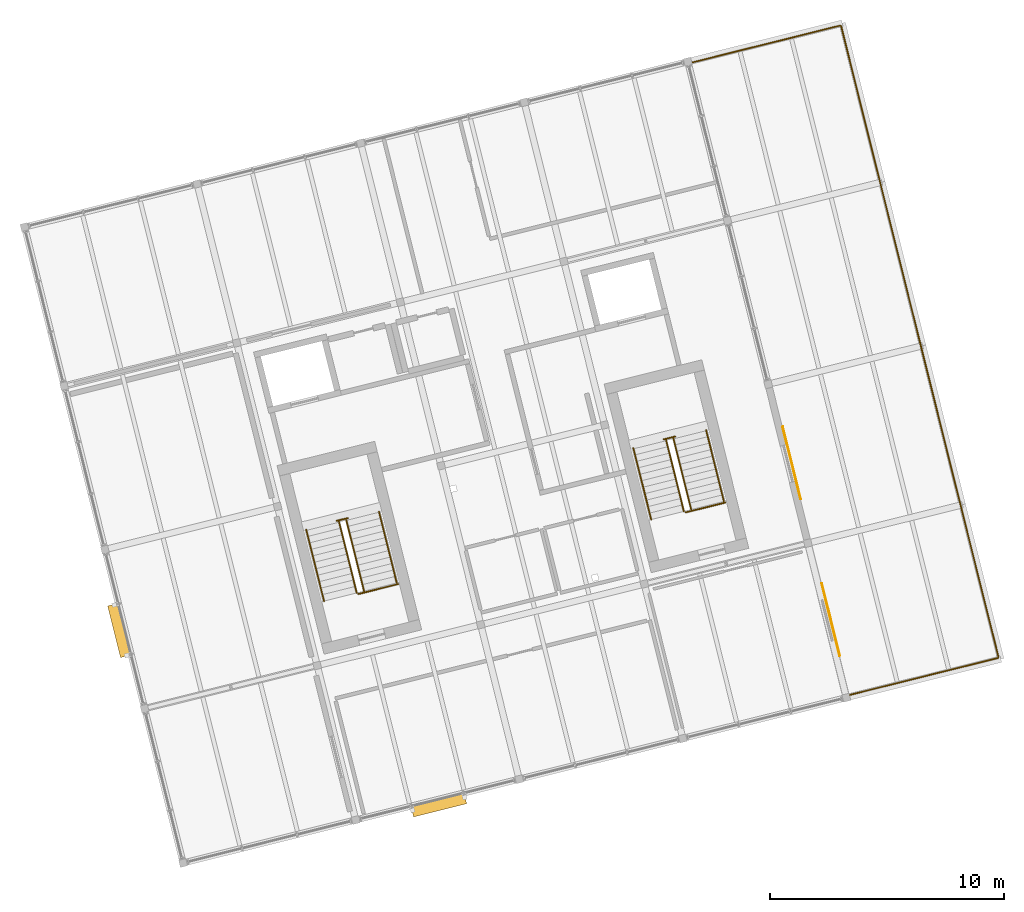
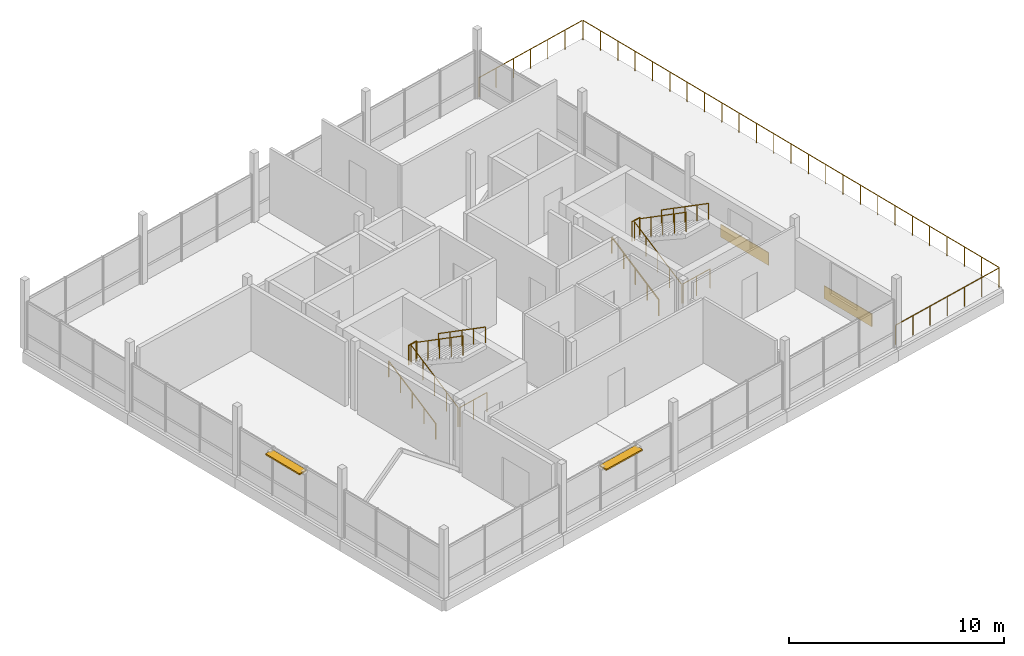
# One storey, part 24 of 24: 15 railings, 2 coverings, 2 shading devices.
"""IFC4 building model written with IfcOpenShell, lengths in metres."""

from ifc_helpers import new_model, si_unit, direction, frame, origin, origin_2d, place, context, subcontext, project, spatial, rectangle, circle, extrude, material, layer, layer_set, type_object, element, save


model = new_model("IFC4")

# Units and contexts
model_context = context("Model", 3, precision=1e-05, world=origin(), true_north=direction((0.0, 1.0)))
body_context = subcontext(model_context, "Body", "Model", "MODEL_VIEW")
ifc_project = project(units=[si_unit("LENGTHUNIT", "METRE"), si_unit("AREAUNIT", "SQUARE_METRE"), si_unit("VOLUMEUNIT", "CUBIC_METRE"), si_unit("PLANEANGLEUNIT", "RADIAN"), si_unit("MASSUNIT", "GRAM", prefix="KILO")], contexts=[model_context])

# Site, building, storey
site_placement = place(None, origin())
site = spatial("IfcSite", under=ifc_project, at=site_placement, CompositionType="ELEMENT")
building_placement = place(site_placement, origin())
building = spatial("IfcBuilding", under=site, at=building_placement, Name="Meriwether Solvik Hall", CompositionType="ELEMENT")
storey_placement = place(building_placement, frame((0.0, 0.0, 57.300048828125)))
storey = spatial("IfcBuildingStorey", under=building, at=storey_placement, Name="L14", CompositionType="ELEMENT", Elevation=57.300048828125)

# Coverings
ifc_material_1 = material(Name="Acetylated Charred Western Red Cedar Timber", Category="wood")
ifc_layer_1 = layer(ifc_material_1, 0.0400390625)
ifc_layer_set_1 = layer_set([ifc_layer_1], Name="Acetylated Charred Western Red Cedar Timber")
covering_type = type_object("IfcCoveringType", Name="COV-CLAD-TIMB", PredefinedType="CLADDING", material=ifc_layer_set_1)
for number, where, z_axis, x_axis, name in (
    (1, (96.265380859375, 51.601806640625, 0.080078125), (0.0, 0.0, 1.0), (0.241921830705, -0.970295742456, 0.0), "L14 Charred Cedar Cladding 2.0"),
    (2, (94.59619140625, 58.296875, 0.080078125), (0.0, 0.0, 1.0), (0.241921925524, -0.970295718815, 0.0), "L14 Charred Cedar Cladding 2.1"),
):
    element("IfcCovering", number, at=place(storey_placement, frame(where, z_axis=z_axis, x_axis=x_axis)), inside=storey, type_object=covering_type, Name=name, PredefinedType="CLADDING", context=body_context, shape_type="SweptSolid", body=[
        extrude(rectangle(XDim=3.199951171875, YDim=0.0400390625, at=origin_2d()), origin(), (0.0, 0.0, 1.0), 0.719970703125),
    ])

# Railings
ifc_material_2 = material(Name="Steel A36 Galvanised", Category="steel")
ifc_layer_2 = layer(ifc_material_2, 0.054931640625)
ifc_layer_set_2 = layer_set([ifc_layer_2], Name="Steel A36 Galvanised")
railing_type_1 = type_object("IfcRailingType", Name="RAIL-STR-GUARD", PredefinedType="GUARDRAIL", material=ifc_layer_set_2)
railing_1_placement = place(storey_placement, frame((75.158935546875, 55.81591796875, 1.949951171875)))
element("IfcRailing", 3, at=railing_1_placement, inside=storey, type_object=railing_type_1, Name="Stair ST-01 Landing Guardrail (L14)", PredefinedType="GUARDRAIL", context=body_context, shape_type="SweptSolid", body=[
    extrude(circle(Radius=0.02392578125, at=origin_2d()), frame((0.0, 0.0, 1.09619140625), z_axis=(0.970343250308, 0.241731207299, 0.0), x_axis=(-0.241731207299, 0.970343250308, 0.0)), (0.0, 0.0, 1.0), 0.5),
    extrude(circle(Radius=0.02099609375, at=origin_2d()), origin(), (0.0, 0.0, 1.0), 1.072021484375),
    extrude(circle(Radius=0.02099609375, at=origin_2d()), frame((0.485107421875, 0.120849609375, 0.0)), (0.0, 0.0, 1.0), 1.072021484375),
])
railing_2_placement = place(storey_placement, frame((76.092041015625, 52.69384765625, 0.0)))
element("IfcRailing", 4, at=railing_2_placement, inside=storey, type_object=railing_type_1, Name="Stair ST-01 Well Guardrail (L14)", PredefinedType="GUARDRAIL", context=body_context, shape_type="SweptSolid", body=[
    extrude(circle(Radius=0.02392578125, at=origin_2d()), frame((0.0, 0.0, 1.09619140625), z_axis=(0.970298223594, 0.241911879182, 0.0), x_axis=(-0.241911879182, 0.970298223594, 0.0)), (0.0, 0.0, 1.0), 1.75),
    extrude(circle(Radius=0.02099609375, at=origin_2d()), origin(), (0.0, 0.0, 1.0), 1.072021484375),
    extrude(circle(Radius=0.02099609375, at=origin_2d()), frame((0.84912109375, 0.211669921875, 0.0)), (0.0, 0.0, 1.0), 1.072021484375),
    extrude(circle(Radius=0.02099609375, at=origin_2d()), frame((1.697998046875, 0.42333984375, 0.0)), (0.0, 0.0, 1.0), 1.072021484375),
])
railing_3_placement = place(storey_placement, frame((76.019287109375, 52.737548828125, 0.0)))
element("IfcRailing", 5, at=railing_3_placement, inside=storey, type_object=railing_type_1, Name="Stair ST-01 Flight 1 Inner Guardrail (L14)", PredefinedType="GUARDRAIL", context=body_context, shape_type="SweptSolid", body=[
    extrude(circle(Radius=0.02392578125, at=origin_2d()), frame((0.0, 0.0, 1.09619140625), z_axis=(-0.205452207734, 0.823924849814, 0.528145086313), x_axis=(-0.970288906122, -0.2419492481, 0.0)), (0.0, 0.0, 1.0), 3.692138671875),
    extrude(circle(Radius=0.02099609375, at=origin_2d()), origin(), (0.0, 0.0, 1.0), 1.072021484375),
    extrude(circle(Radius=0.02099609375, at=origin_2d()), frame((-0.189697265625, 0.760498046875, 0.487548828125)), (0.0, 0.0, 1.0), 1.072021484375),
    extrude(circle(Radius=0.02099609375, at=origin_2d()), frame((-0.37939453125, 1.52099609375, 0.97509765625)), (0.0, 0.0, 1.0), 1.072021484375),
    extrude(circle(Radius=0.02099609375, at=origin_2d()), frame((-0.56884765625, 2.281494140625, 1.46240234375)), (0.0, 0.0, 1.0), 1.072021484375),
    extrude(circle(Radius=0.02099609375, at=origin_2d()), frame((-0.758544921875, 3.0419921875, 1.949951171875)), (0.0, 0.0, 1.0), 1.072021484375),
])
railing_4_placement = place(storey_placement, frame((75.5712890625, 55.85693359375, 1.949951171875)))
element("IfcRailing", 6, at=railing_4_placement, inside=storey, type_object=railing_type_1, Name="Stair ST-01 Flight 2 Inner Guardrail (L14)", PredefinedType="GUARDRAIL", context=body_context, shape_type="SweptSolid", body=[
    extrude(circle(Radius=0.02392578125, at=origin_2d()), frame((0.0, 0.0, 1.09619140625), z_axis=(0.205388872055, -0.823936041794, 0.528152260498), x_axis=(0.970307185051, 0.241875932325, 0.0)), (0.0, 0.0, 1.0), 3.692138671875),
    extrude(circle(Radius=0.02099609375, at=origin_2d()), origin(), (0.0, 0.0, 1.0), 1.072021484375),
    extrude(circle(Radius=0.02099609375, at=origin_2d()), frame((0.189453125, -0.760498046875, 0.487548828125)), (0.0, 0.0, 1.0), 1.072021484375),
    extrude(circle(Radius=0.02099609375, at=origin_2d()), frame((0.379150390625, -1.52099609375, 0.97509765625)), (0.0, 0.0, 1.0), 1.072021484375),
    extrude(circle(Radius=0.02099609375, at=origin_2d()), frame((0.56884765625, -2.281494140625, 1.46240234375)), (0.0, 0.0, 1.0), 1.072021484375),
    extrude(circle(Radius=0.02099609375, at=origin_2d()), frame((0.75830078125, -3.0419921875, 1.949951171875)), (0.0, 0.0, 1.0), 1.072021484375),
])
railing_5_placement = place(storey_placement, frame((89.131103515625, 59.299560546875, 1.949951171875)))
element("IfcRailing", 7, at=railing_5_placement, inside=storey, type_object=railing_type_1, Name="Stair ST-02 Landing Guardrail (L14)", PredefinedType="GUARDRAIL", context=body_context, shape_type="SweptSolid", body=[
    extrude(circle(Radius=0.02392578125, at=origin_2d()), frame((0.0, 0.0, 1.09619140625), z_axis=(0.970228607419, 0.242190935722, 0.0), x_axis=(-0.242190935722, 0.970228607419, 0.0)), (0.0, 0.0, 1.0), 0.5),
    extrude(circle(Radius=0.02099609375, at=origin_2d()), origin(), (0.0, 0.0, 1.0), 1.072021484375),
    extrude(circle(Radius=0.02099609375, at=origin_2d()), frame((0.485107421875, 0.12109375, 0.0)), (0.0, 0.0, 1.0), 1.072021484375),
])
railing_6_placement = place(storey_placement, frame((90.064208984375, 56.177490234375, 0.0)))
element("IfcRailing", 8, at=railing_6_placement, inside=storey, type_object=railing_type_1, Name="Stair ST-02 Well Guardrail (L14)", PredefinedType="GUARDRAIL", context=body_context, shape_type="SweptSolid", body=[
    extrude(circle(Radius=0.02392578125, at=origin_2d()), frame((0.0, 0.0, 1.09619140625), z_axis=(0.970298223594, 0.241911879182, 0.0), x_axis=(-0.241911879182, 0.970298223594, 0.0)), (0.0, 0.0, 1.0), 1.75),
    extrude(circle(Radius=0.02099609375, at=origin_2d()), origin(), (0.0, 0.0, 1.0), 1.072021484375),
    extrude(circle(Radius=0.02099609375, at=origin_2d()), frame((0.84912109375, 0.211669921875, 0.0)), (0.0, 0.0, 1.0), 1.072021484375),
    extrude(circle(Radius=0.02099609375, at=origin_2d()), frame((1.697998046875, 0.42333984375, 0.0)), (0.0, 0.0, 1.0), 1.072021484375),
])
railing_7_placement = place(storey_placement, frame((89.991455078125, 56.22119140625, 0.0)))
element("IfcRailing", 9, at=railing_7_placement, inside=storey, type_object=railing_type_1, Name="Stair ST-02 Flight 1 Inner Guardrail (L14)", PredefinedType="GUARDRAIL", context=body_context, shape_type="SweptSolid", body=[
    extrude(circle(Radius=0.02392578125, at=origin_2d()), frame((0.0, 0.0, 1.09619140625), z_axis=(-0.205452207734, 0.823924849814, 0.528145086313), x_axis=(-0.970288906122, -0.2419492481, 0.0)), (0.0, 0.0, 1.0), 3.692138671875),
    extrude(circle(Radius=0.02099609375, at=origin_2d()), origin(), (0.0, 0.0, 1.0), 1.072021484375),
    extrude(circle(Radius=0.02099609375, at=origin_2d()), frame((-0.189697265625, 0.760498046875, 0.487548828125)), (0.0, 0.0, 1.0), 1.072021484375),
    extrude(circle(Radius=0.02099609375, at=origin_2d()), frame((-0.37939453125, 1.52099609375, 0.97509765625)), (0.0, 0.0, 1.0), 1.072021484375),
    extrude(circle(Radius=0.02099609375, at=origin_2d()), frame((-0.56884765625, 2.281494140625, 1.46240234375)), (0.0, 0.0, 1.0), 1.072021484375),
    extrude(circle(Radius=0.02099609375, at=origin_2d()), frame((-0.758544921875, 3.0419921875, 1.949951171875)), (0.0, 0.0, 1.0), 1.072021484375),
])
railing_8_placement = place(storey_placement, frame((89.54345703125, 59.340576171875, 1.949951171875)))
element("IfcRailing", 10, at=railing_8_placement, inside=storey, type_object=railing_type_1, Name="Stair ST-02 Flight 2 Inner Guardrail (L14)", PredefinedType="GUARDRAIL", context=body_context, shape_type="SweptSolid", body=[
    extrude(circle(Radius=0.02392578125, at=origin_2d()), frame((0.0, 0.0, 1.09619140625), z_axis=(0.205452207734, -0.823924849814, 0.528145086313), x_axis=(0.970288906122, 0.2419492481, 0.0)), (0.0, 0.0, 1.0), 3.692138671875),
    extrude(circle(Radius=0.02099609375, at=origin_2d()), origin(), (0.0, 0.0, 1.0), 1.072021484375),
    extrude(circle(Radius=0.02099609375, at=origin_2d()), frame((0.189697265625, -0.760498046875, 0.487548828125)), (0.0, 0.0, 1.0), 1.072021484375),
    extrude(circle(Radius=0.02099609375, at=origin_2d()), frame((0.37939453125, -1.52099609375, 0.97509765625)), (0.0, 0.0, 1.0), 1.072021484375),
    extrude(circle(Radius=0.02099609375, at=origin_2d()), frame((0.56884765625, -2.281494140625, 1.46240234375)), (0.0, 0.0, 1.0), 1.072021484375),
    extrude(circle(Radius=0.02099609375, at=origin_2d()), frame((0.758544921875, -3.0419921875, 1.949951171875)), (0.0, 0.0, 1.0), 1.072021484375),
])
ifc_material_3 = material(Name="Stainless Steel AISI 316", Category="steel")
ifc_layer_3 = layer(ifc_material_3, 0.044921875)
ifc_layer_set_3 = layer_set([ifc_layer_3], Name="Stainless Steel AISI 316")
railing_type_2 = type_object("IfcRailingType", Name="RAIL-STR-HAND", PredefinedType="HANDRAIL", material=ifc_layer_set_3)
railing_9_placement = place(storey_placement, frame((74.6220703125, 52.38916015625, 0.0)))
element("IfcRailing", 11, at=railing_9_placement, inside=storey, type_object=railing_type_2, Name="Stair ST-01 Lower Handrail (L14)", PredefinedType="HANDRAIL", context=body_context, shape_type="SweptSolid", body=[
    extrude(circle(Radius=0.02392578125, at=origin_2d()), frame((0.0, 0.0, 0.89599609375), z_axis=(-0.205467106702, 0.823914517495, 0.528155408876), x_axis=(-0.970284074567, -0.241968623258, 0.0)), (0.0, 0.0, 1.0), 3.698974609375),
    extrude(circle(Radius=0.02099609375, at=origin_2d()), origin(), (0.0, 0.0, 1.0), 0.871826171875),
    extrude(circle(Radius=0.02099609375, at=origin_2d()), frame((-0.18994140625, 0.761962890625, 0.48828125)), (0.0, 0.0, 1.0), 0.871826171875),
    extrude(circle(Radius=0.02099609375, at=origin_2d()), frame((-0.3798828125, 1.52392578125, 0.976806640625)), (0.0, 0.0, 1.0), 0.871826171875),
    extrude(circle(Radius=0.02099609375, at=origin_2d()), frame((-0.570068359375, 2.28564453125, 1.46533203125)), (0.0, 0.0, 1.0), 0.871826171875),
    extrude(circle(Radius=0.02099609375, at=origin_2d()), frame((-0.760009765625, 3.047607421875, 1.95361328125)), (0.0, 0.0, 1.0), 0.871826171875),
])
railing_10_placement = place(storey_placement, frame((76.968505859375, 56.205322265625, 1.949951171875)))
element("IfcRailing", 12, at=railing_10_placement, inside=storey, type_object=railing_type_2, Name="Stair ST-01 Upper Handrail (L14)", PredefinedType="HANDRAIL", context=body_context, shape_type="SweptSolid", body=[
    extrude(circle(Radius=0.02392578125, at=origin_2d()), frame((0.0, 0.0, 0.89599609375), z_axis=(0.205403888919, -0.823925689387, 0.528162570414), x_axis=(0.970302321101, 0.241895443665, 0.0)), (0.0, 0.0, 1.0), 3.698974609375),
    extrude(circle(Radius=0.02099609375, at=origin_2d()), origin(), (0.0, 0.0, 1.0), 0.871826171875),
    extrude(circle(Radius=0.02099609375, at=origin_2d()), frame((0.18994140625, -0.761962890625, 0.48828125)), (0.0, 0.0, 1.0), 0.871826171875),
    extrude(circle(Radius=0.02099609375, at=origin_2d()), frame((0.3798828125, -1.52392578125, 0.976806640625)), (0.0, 0.0, 1.0), 0.871826171875),
    extrude(circle(Radius=0.02099609375, at=origin_2d()), frame((0.56982421875, -2.28564453125, 1.46533203125)), (0.0, 0.0, 1.0), 0.871826171875),
    extrude(circle(Radius=0.02099609375, at=origin_2d()), frame((0.759765625, -3.047607421875, 1.95361328125)), (0.0, 0.0, 1.0), 0.871826171875),
])
railing_11_placement = place(storey_placement, frame((88.59423828125, 55.872802734375, 0.0)))
element("IfcRailing", 13, at=railing_11_placement, inside=storey, type_object=railing_type_2, Name="Stair ST-02 Lower Handrail (L14)", PredefinedType="HANDRAIL", context=body_context, shape_type="SweptSolid", body=[
    extrude(circle(Radius=0.02392578125, at=origin_2d()), frame((0.0, 0.0, 0.89599609375), z_axis=(-0.205403888919, 0.823925689387, 0.528162570414), x_axis=(-0.970302321101, -0.241895443665, 0.0)), (0.0, 0.0, 1.0), 3.698974609375),
    extrude(circle(Radius=0.02099609375, at=origin_2d()), origin(), (0.0, 0.0, 1.0), 0.871826171875),
    extrude(circle(Radius=0.02099609375, at=origin_2d()), frame((-0.18994140625, 0.761962890625, 0.48828125)), (0.0, 0.0, 1.0), 0.871826171875),
    extrude(circle(Radius=0.02099609375, at=origin_2d()), frame((-0.3798828125, 1.52392578125, 0.976806640625)), (0.0, 0.0, 1.0), 0.871826171875),
    extrude(circle(Radius=0.02099609375, at=origin_2d()), frame((-0.56982421875, 2.28564453125, 1.46533203125)), (0.0, 0.0, 1.0), 0.871826171875),
    extrude(circle(Radius=0.02099609375, at=origin_2d()), frame((-0.759765625, 3.047607421875, 1.95361328125)), (0.0, 0.0, 1.0), 0.871826171875),
])
railing_12_placement = place(storey_placement, frame((90.940673828125, 59.68896484375, 1.949951171875)))
element("IfcRailing", 14, at=railing_12_placement, inside=storey, type_object=railing_type_2, Name="Stair ST-02 Upper Handrail (L14)", PredefinedType="HANDRAIL", context=body_context, shape_type="SweptSolid", body=[
    extrude(circle(Radius=0.02392578125, at=origin_2d()), frame((0.0, 0.0, 0.89599609375), z_axis=(0.205467106702, -0.823914517495, 0.528155408876), x_axis=(0.970284074567, 0.241968623258, 0.0)), (0.0, 0.0, 1.0), 3.698974609375),
    extrude(circle(Radius=0.02099609375, at=origin_2d()), origin(), (0.0, 0.0, 1.0), 0.871826171875),
    extrude(circle(Radius=0.02099609375, at=origin_2d()), frame((0.18994140625, -0.761962890625, 0.48828125)), (0.0, 0.0, 1.0), 0.871826171875),
    extrude(circle(Radius=0.02099609375, at=origin_2d()), frame((0.3798828125, -1.52392578125, 0.976806640625)), (0.0, 0.0, 1.0), 0.871826171875),
    extrude(circle(Radius=0.02099609375, at=origin_2d()), frame((0.570068359375, -2.28564453125, 1.46533203125)), (0.0, 0.0, 1.0), 0.871826171875),
    extrude(circle(Radius=0.02099609375, at=origin_2d()), frame((0.760009765625, -3.047607421875, 1.95361328125)), (0.0, 0.0, 1.0), 0.871826171875),
])
ifc_material_4 = material(Name="Laminated Tempered Glass and Stainless Steel AISI 316", Category="steel")
ifc_layer_4 = layer(ifc_material_4, 0.06005859375)
ifc_layer_set_4 = layer_set([ifc_layer_4], Name="Laminated Tempered Glass and Stainless Steel AISI 316")
railing_type_3 = type_object("IfcRailingType", Name="RAIL-TERR-1120", PredefinedType="GUARDRAIL", material=ifc_layer_set_4)
railing_13_placement = place(storey_placement, frame((96.9326171875, 48.3466796875, 0.0)))
element("IfcRailing", 15, at=railing_13_placement, inside=storey, type_object=railing_type_3, Name="L14 Upper Sky Terrace Guardrail 1", PredefinedType="GUARDRAIL", context=body_context, shape_type="SweptSolid", body=[
    extrude(circle(Radius=0.02392578125, at=origin_2d()), frame((0.0, 0.0, 1.09619140625), z_axis=(0.970299519817, 0.241906680028, 0.0), x_axis=(-0.241906680028, 0.970299519817, 0.0)), (0.0, 0.0, 1.0), 6.66796875),
    extrude(circle(Radius=0.02099609375, at=origin_2d()), origin(), (0.0, 0.0, 1.0), 1.072021484375),
    extrude(circle(Radius=0.02099609375, at=origin_2d()), frame((1.078369140625, 0.268798828125, 0.0)), (0.0, 0.0, 1.0), 1.072021484375),
    extrude(circle(Radius=0.02099609375, at=origin_2d()), frame((2.15673828125, 0.53759765625, 0.0)), (0.0, 0.0, 1.0), 1.072021484375),
    extrude(circle(Radius=0.02099609375, at=origin_2d()), frame((3.23486328125, 0.806640625, 0.0)), (0.0, 0.0, 1.0), 1.072021484375),
    extrude(circle(Radius=0.02099609375, at=origin_2d()), frame((4.313232421875, 1.075439453125, 0.0)), (0.0, 0.0, 1.0), 1.072021484375),
    extrude(circle(Radius=0.02099609375, at=origin_2d()), frame((5.3916015625, 1.34423828125, 0.0)), (0.0, 0.0, 1.0), 1.072021484375),
    extrude(circle(Radius=0.02099609375, at=origin_2d()), frame((6.469970703125, 1.613037109375, 0.0)), (0.0, 0.0, 1.0), 1.072021484375),
])
railing_14_placement = place(storey_placement, frame((103.426025390625, 49.99853515625, 0.0)))
element("IfcRailing", 16, at=railing_14_placement, inside=storey, type_object=railing_type_3, Name="L14 Upper Sky Terrace Guardrail 2", PredefinedType="GUARDRAIL", context=body_context, shape_type="SweptSolid", body=[
    extrude(circle(Radius=0.02392578125, at=origin_2d()), frame((0.0, 0.0, 1.09619140625), z_axis=(-0.241925474108, 0.970294834047, 0.0), x_axis=(-0.970294834047, -0.241925474108, 0.0)), (0.0, 0.0, 1.0), 27.776123046875),
    extrude(circle(Radius=0.02099609375, at=origin_2d()), origin(), (0.0, 0.0, 1.0), 1.072021484375),
    extrude(circle(Radius=0.02099609375, at=origin_2d()), frame((-0.280029296875, 1.123046875, 0.0)), (0.0, 0.0, 1.0), 1.072021484375),
    extrude(circle(Radius=0.02099609375, at=origin_2d()), frame((-0.56005859375, 2.245849609375, 0.0)), (0.0, 0.0, 1.0), 1.072021484375),
    extrude(circle(Radius=0.02099609375, at=origin_2d()), frame((-0.83984375, 3.368896484375, 0.0)), (0.0, 0.0, 1.0), 1.072021484375),
    extrude(circle(Radius=0.02099609375, at=origin_2d()), frame((-1.119873046875, 4.49169921875, 0.0)), (0.0, 0.0, 1.0), 1.072021484375),
    extrude(circle(Radius=0.02099609375, at=origin_2d()), frame((-1.39990234375, 5.61474609375, 0.0)), (0.0, 0.0, 1.0), 1.072021484375),
    extrude(circle(Radius=0.02099609375, at=origin_2d()), frame((-1.679931640625, 6.73779296875, 0.0)), (0.0, 0.0, 1.0), 1.072021484375),
    extrude(circle(Radius=0.02099609375, at=origin_2d()), frame((-1.9599609375, 7.860595703125, 0.0)), (0.0, 0.0, 1.0), 1.072021484375),
    extrude(circle(Radius=0.02099609375, at=origin_2d()), frame((-2.239990234375, 8.983642578125, 0.0)), (0.0, 0.0, 1.0), 1.072021484375),
    extrude(circle(Radius=0.02099609375, at=origin_2d()), frame((-2.52001953125, 10.106689453125, 0.0)), (0.0, 0.0, 1.0), 1.072021484375),
    extrude(circle(Radius=0.02099609375, at=origin_2d()), frame((-2.7998046875, 11.2294921875, 0.0)), (0.0, 0.0, 1.0), 1.072021484375),
    extrude(circle(Radius=0.02099609375, at=origin_2d()), frame((-3.079833984375, 12.3525390625, 0.0)), (0.0, 0.0, 1.0), 1.072021484375),
    extrude(circle(Radius=0.02099609375, at=origin_2d()), frame((-3.35986328125, 13.4755859375, 0.0)), (0.0, 0.0, 1.0), 1.072021484375),
    extrude(circle(Radius=0.02099609375, at=origin_2d()), frame((-3.639892578125, 14.598388671875, 0.0)), (0.0, 0.0, 1.0), 1.072021484375),
    extrude(circle(Radius=0.02099609375, at=origin_2d()), frame((-3.919921875, 15.721435546875, 0.0)), (0.0, 0.0, 1.0), 1.072021484375),
    extrude(circle(Radius=0.02099609375, at=origin_2d()), frame((-4.19970703125, 16.84423828125, 0.0)), (0.0, 0.0, 1.0), 1.072021484375),
    extrude(circle(Radius=0.02099609375, at=origin_2d()), frame((-4.479736328125, 17.96728515625, 0.0)), (0.0, 0.0, 1.0), 1.072021484375),
    extrude(circle(Radius=0.02099609375, at=origin_2d()), frame((-4.759765625, 19.09033203125, 0.0)), (0.0, 0.0, 1.0), 1.072021484375),
    extrude(circle(Radius=0.02099609375, at=origin_2d()), frame((-5.039794921875, 20.213134765625, 0.0)), (0.0, 0.0, 1.0), 1.072021484375),
    extrude(circle(Radius=0.02099609375, at=origin_2d()), frame((-5.31982421875, 21.336181640625, 0.0)), (0.0, 0.0, 1.0), 1.072021484375),
    extrude(circle(Radius=0.02099609375, at=origin_2d()), frame((-5.599853515625, 22.458984375, 0.0)), (0.0, 0.0, 1.0), 1.072021484375),
    extrude(circle(Radius=0.02099609375, at=origin_2d()), frame((-5.8798828125, 23.58203125, 0.0)), (0.0, 0.0, 1.0), 1.072021484375),
    extrude(circle(Radius=0.02099609375, at=origin_2d()), frame((-6.15966796875, 24.705078125, 0.0)), (0.0, 0.0, 1.0), 1.072021484375),
    extrude(circle(Radius=0.02099609375, at=origin_2d()), frame((-6.439697265625, 25.827880859375, 0.0)), (0.0, 0.0, 1.0), 1.072021484375),
    extrude(circle(Radius=0.02099609375, at=origin_2d()), frame((-6.7197265625, 26.950927734375, 0.0)), (0.0, 0.0, 1.0), 1.072021484375),
])
railing_15_placement = place(storey_placement, frame((96.66748046875, 76.97265625, 0.0)))
element("IfcRailing", 17, at=railing_15_placement, inside=storey, type_object=railing_type_3, Name="L14 Upper Sky Terrace Guardrail 3", PredefinedType="GUARDRAIL", context=body_context, shape_type="SweptSolid", body=[
    extrude(circle(Radius=0.02392578125, at=origin_2d()), frame((0.0, 0.0, 1.09619140625), z_axis=(-0.970299519817, -0.241906680028, 0.0), x_axis=(0.241906680028, -0.970299519817, 0.0)), (0.0, 0.0, 1.0), 6.66796875),
    extrude(circle(Radius=0.02099609375, at=origin_2d()), origin(), (0.0, 0.0, 1.0), 1.072021484375),
    extrude(circle(Radius=0.02099609375, at=origin_2d()), frame((-1.078369140625, -0.268798828125, 0.0)), (0.0, 0.0, 1.0), 1.072021484375),
    extrude(circle(Radius=0.02099609375, at=origin_2d()), frame((-2.15673828125, -0.53759765625, 0.0)), (0.0, 0.0, 1.0), 1.072021484375),
    extrude(circle(Radius=0.02099609375, at=origin_2d()), frame((-3.23486328125, -0.806640625, 0.0)), (0.0, 0.0, 1.0), 1.072021484375),
    extrude(circle(Radius=0.02099609375, at=origin_2d()), frame((-4.313232421875, -1.075439453125, 0.0)), (0.0, 0.0, 1.0), 1.072021484375),
    extrude(circle(Radius=0.02099609375, at=origin_2d()), frame((-5.3916015625, -1.34423828125, 0.0)), (0.0, 0.0, 1.0), 1.072021484375),
    extrude(circle(Radius=0.02099609375, at=origin_2d()), frame((-6.469970703125, -1.613037109375, 0.0)), (0.0, 0.0, 1.0), 1.072021484375),
])

# Shading devices
ifc_material_5 = material(Name="Anodised Aluminium 6063-T6", Category="aluminium")
shading_device_type_1 = type_object("IfcShadingDeviceType", Name="SHD-LOUVRE-S", PredefinedType="SHUTTER", material=ifc_material_5)
shading_device_1_placement = place(storey_placement, frame((79.525390625, 43.6767578125, 2.46484375), z_axis=(0.0, 0.0, 1.0), x_axis=(-0.970295730764, -0.241921877598, 0.0)))
element("IfcShadingDevice", 18, at=shading_device_1_placement, inside=storey, type_object=shading_device_type_1, Name="Solar Shading Louvre E0_B1", PredefinedType="SHUTTER", context=body_context, shape_type="SweptSolid", body=[
    extrude(rectangle(XDim=2.339111328125, YDim=0.4599609375, at=origin_2d()), origin(), (0.0, 0.0, 1.0), 0.080078125),
])
ifc_material_6 = material(Name="Anodised Aluminium 6063-T6", Category="aluminium")
shading_device_type_2 = type_object("IfcShadingDeviceType", Name="SHD-LOUVRE-W", PredefinedType="USERDEFINED", material=ifc_material_6)
shading_device_2_placement = place(storey_placement, frame((65.875244140625, 51.135986328125, 2.46484375), z_axis=(0.0, 0.0, 1.0), x_axis=(-0.241921784185, 0.970295754055, 0.0)))
element("IfcShadingDevice", 19, at=shading_device_2_placement, inside=storey, type_object=shading_device_type_2, Name="Solar Shading Louvre E3_B1", ObjectType="LOUVER", PredefinedType="USERDEFINED", context=body_context, shape_type="SweptSolid", body=[
    extrude(rectangle(XDim=2.272216796875, YDim=0.4599609375, at=origin_2d()), origin(), (0.0, 0.0, 1.0), 0.080078125),
])

save(model, "model.ifc")
